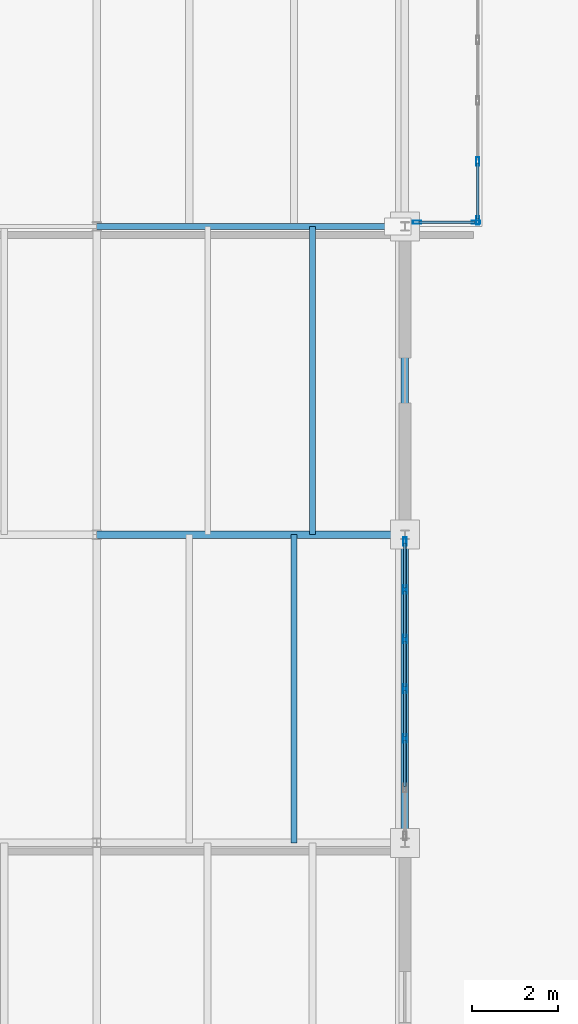
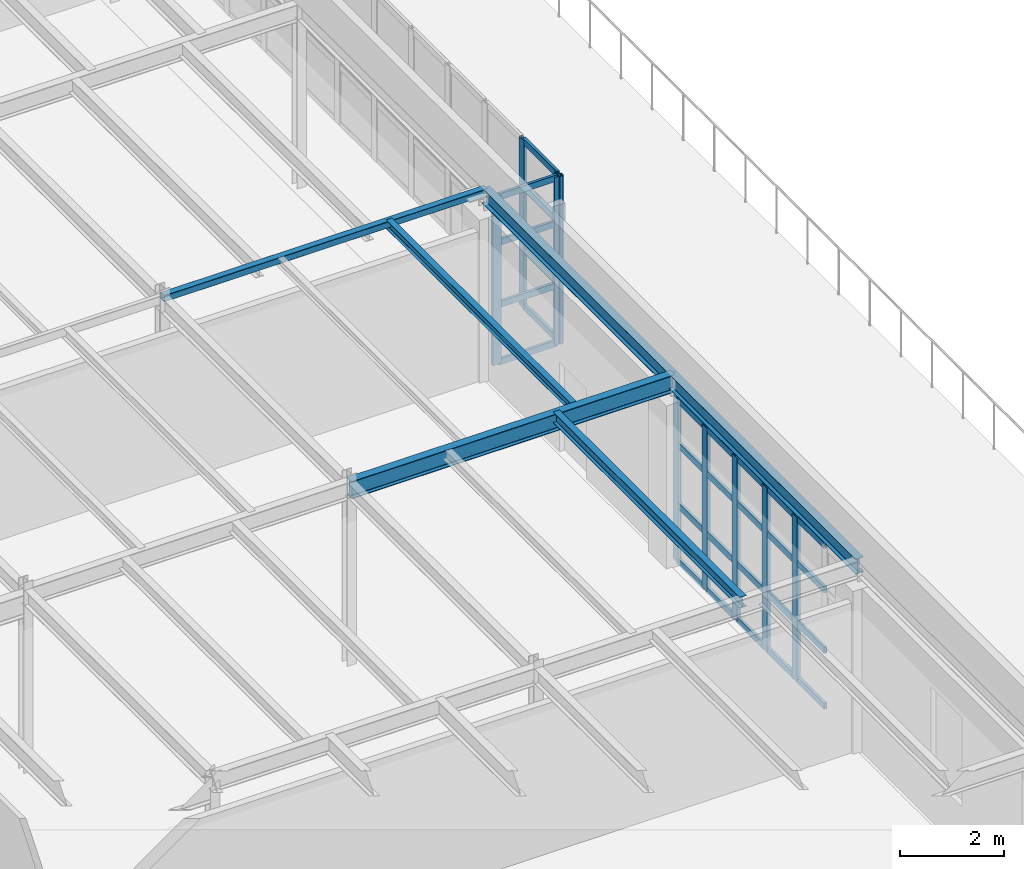
# One storey, part 21 of 43: 37 members, 6 beams, 3 elements without a shape of their own.
"""IFC4 building model written with IfcOpenShell, lengths in metres."""

from ifc_helpers import new_model, si_unit, direction, frame, origin, origin_2d, place, context, subcontext, project, spatial, hollow_rectangle, i_section, extrude, material, layer, layer_set, material_profile, profile_set, type_object, element, aggregate, save


model = new_model("IFC4")

# Units and contexts
model_context = context("Model", 3, precision=1e-05, world=origin(), true_north=direction((0.0, 1.0)))
body_context = subcontext(model_context, "Body", "Model", "MODEL_VIEW")
ifc_project = project(units=[si_unit("LENGTHUNIT", "METRE"), si_unit("AREAUNIT", "SQUARE_METRE"), si_unit("VOLUMEUNIT", "CUBIC_METRE"), si_unit("PLANEANGLEUNIT", "RADIAN"), si_unit("MASSUNIT", "GRAM", prefix="KILO")], contexts=[model_context])

# Site, building, storey
site_placement = place(None, origin())
site = spatial("IfcSite", under=ifc_project, at=site_placement, CompositionType="ELEMENT")
building_placement = place(site_placement, origin())
building = spatial("IfcBuilding", under=site, at=building_placement, Name="Kemerveld Promenade Tramway Depot", CompositionType="ELEMENT")
storey_placement = place(building_placement, frame((0.0, 0.0, 18.89990234375)))
storey = spatial("IfcBuildingStorey", under=building, at=storey_placement, Name="L04", CompositionType="ELEMENT", Elevation=18.89990234375)

# Beams
ifc_material_1 = material(Name="Steel S355", Category="steel")
ifc_material_profile_1 = material_profile(ifc_material_1, i_section(OverallWidth=0.1787109375, OverallDepth=0.409423828125, WebThickness=0.0087890625, FlangeThickness=0.014404296875, FilletRadius=0.01025390625, at=origin_2d()), Name="406x178x67 UB")
ifc_profile_set_1 = profile_set([ifc_material_profile_1], Name="Steel S355")
beam_type_1 = type_object("IfcBeamType", Name="BM-G07", PredefinedType="BEAM", material=ifc_profile_set_1)
beam_1_placement = place(storey_placement, frame((28.800048828125, 21.60009765625, 4.115478515625), z_axis=(1.0, 0.0, 0.0), x_axis=(0.0, 1.0, 0.0)))
element("IfcBeam", 1, at=beam_1_placement, inside=storey, type_object=beam_type_1, Name="BMX-L04-05-06-D", PredefinedType="BEAM", context=body_context, shape_type="SweptSolid", body=[
    extrude(i_section(OverallWidth=0.1787109375, OverallDepth=0.409423828125, WebThickness=0.0087890625, FlangeThickness=0.014404296875, FilletRadius=0.01025390625, at=origin_2d()), origin(), (0.0, 0.0, 1.0), 7.199951171875),
])
ifc_material_profile_2 = material_profile(ifc_material_1, i_section(OverallWidth=0.172119140625, OverallDepth=0.35791015625, WebThickness=0.008056640625, FlangeThickness=0.012939453125, FilletRadius=0.01025390625, at=origin_2d()), Name="356x171x57 UB")
ifc_profile_set_2 = profile_set([ifc_material_profile_2], Name="Steel S355")
beam_type_2 = type_object("IfcBeamType", Name="BM-G08", PredefinedType="BEAM", material=ifc_profile_set_2)
beam_2_placement = place(storey_placement, frame((36.0, 14.39990234375, 4.14111328125), z_axis=(0.0, 1.0, 0.0), x_axis=(-1.0, 0.0, 0.0)))
element("IfcBeam", 2, at=beam_2_placement, inside=storey, type_object=beam_type_2, Name="BMY-L04-06-C-D", PredefinedType="BEAM", context=body_context, shape_type="SweptSolid", body=[
    extrude(i_section(OverallWidth=0.172119140625, OverallDepth=0.35791015625, WebThickness=0.008056640625, FlangeThickness=0.012939453125, FilletRadius=0.01025390625, at=origin_2d()), origin(), (0.0, 0.0, 1.0), 7.2001953125),
])
beam_3_placement = place(storey_placement, frame((36.0, 21.60009765625, 4.14111328125), z_axis=(0.0, 1.0, 0.0), x_axis=(-1.0, 0.0, 0.0)))
element("IfcBeam", 3, at=beam_3_placement, inside=storey, type_object=beam_type_2, Name="BMY-L04-06-D-E", PredefinedType="BEAM", context=body_context, shape_type="SweptSolid", body=[
    extrude(i_section(OverallWidth=0.172119140625, OverallDepth=0.35791015625, WebThickness=0.008056640625, FlangeThickness=0.012939453125, FilletRadius=0.01025390625, at=origin_2d()), origin(), (0.0, 0.0, 1.0), 7.199951171875),
])
ifc_material_profile_3 = material_profile(ifc_material_1, i_section(OverallWidth=0.146484375, OverallDepth=0.256103515625, WebThickness=0.00634765625, FlangeThickness=0.010986328125, FilletRadius=0.007568359375, at=origin_2d()), Name="254x146x37 UB")
ifc_profile_set_3 = profile_set([ifc_material_profile_3], Name="Steel S355")
beam_type_3 = type_object("IfcBeamType", Name="BM-J02", PredefinedType="JOIST", material=ifc_profile_set_3)
beam_4_placement = place(storey_placement, frame((33.407958984375, 14.39990234375, 4.192138671875), z_axis=(0.0, 1.0, 0.0), x_axis=(-1.0, 0.0, 0.0)))
element("IfcBeam", 4, at=beam_4_placement, inside=storey, type_object=beam_type_3, Name="JST-L04-05-C-2", PredefinedType="JOIST", context=body_context, shape_type="SweptSolid", body=[
    extrude(i_section(OverallWidth=0.146484375, OverallDepth=0.256103515625, WebThickness=0.00634765625, FlangeThickness=0.010986328125, FilletRadius=0.007568359375, at=origin_2d()), origin(), (0.0, 0.0, 1.0), 7.2001953125),
])
ifc_material_profile_4 = material_profile(ifc_material_1, i_section(OverallWidth=0.13330078125, OverallDepth=0.203125, WebThickness=0.005615234375, FlangeThickness=0.0078125, FilletRadius=0.007568359375, at=origin_2d()), Name="203x133x25 UB")
ifc_profile_set_4 = profile_set([ifc_material_profile_4], Name="Steel S355")
beam_type_4 = type_object("IfcBeamType", Name="BM-J03", PredefinedType="JOIST", material=ifc_profile_set_4)
beam_5_placement = place(storey_placement, frame((33.840087890625, 21.60009765625, 4.218505859375), z_axis=(0.0, 1.0, 0.0), x_axis=(-1.0, 0.0, 0.0)))
element("IfcBeam", 5, at=beam_5_placement, inside=storey, type_object=beam_type_4, Name="JST-L04-05-D-2", PredefinedType="JOIST", context=body_context, shape_type="SweptSolid", body=[
    extrude(i_section(OverallWidth=0.13330078125, OverallDepth=0.203125, WebThickness=0.005615234375, FlangeThickness=0.0078125, FilletRadius=0.007568359375, at=origin_2d()), origin(), (0.0, 0.0, 1.0), 7.199951171875),
])
ifc_material_profile_5 = material_profile(ifc_material_1, hollow_rectangle(XDim=0.14990234375, YDim=0.14990234375, WallThickness=0.008056640625, InnerFilletRadius=0.00390625, OuterFilletRadius=0.011962890625, at=origin_2d()), Name="150x150x8.0 SHS")
ifc_profile_set_5 = profile_set([ifc_material_profile_5], Name="Steel S355")
beam_type_5 = type_object("IfcBeamType", Name="BM-SP4", PredefinedType="SPANDREL", material=ifc_profile_set_5)
beam_6_placement = place(storey_placement, frame((28.800048828125, 28.800048828125, 4.2451171875), z_axis=(1.0, 0.0, 0.0), x_axis=(0.0, 1.0, 0.0)))
element("IfcBeam", 6, at=beam_6_placement, inside=storey, type_object=beam_type_5, Name="BMX-L04-05-06-E", PredefinedType="SPANDREL", context=body_context, shape_type="SweptSolid", body=[
    extrude(hollow_rectangle(XDim=0.14990234375, YDim=0.14990234375, WallThickness=0.008056640625, InnerFilletRadius=0.00390625, OuterFilletRadius=0.011962890625, at=origin_2d()), origin(), (0.0, 0.0, 1.0), 7.199951171875),
])

# Curtain wall, members
ifc_material_2 = material(Name="Bronze anodised aluminium and solar glass", Category="aluminium")
ifc_layer_1 = layer(ifc_material_2, 0.199951171875)
ifc_layer_set_1 = layer_set([ifc_layer_1], Name="CW-SYS-06")
curtain_wall_type_1 = type_object("IfcCurtainWallType", Name="CW-SYS-06", PredefinedType="USERDEFINED", material=ifc_layer_set_1)
curtain_wall_1_placement = place(storey_placement, origin())
curtain_wall_1 = element("IfcCurtainWall", 7, at=curtain_wall_1_placement, inside=storey, type_object=curtain_wall_type_1, Name="CW-L04-V5ES-02", ObjectType="GLAZED_CURTAIN_WALL", PredefinedType="USERDEFINED")
ifc_material_3 = material(Name="Bronze anodised aluminium", Category="aluminium")
ifc_material_profile_6 = material_profile(ifc_material_3, hollow_rectangle(XDim=0.074951171875, YDim=0.199951171875, WallThickness=0.0048828125, InnerFilletRadius=0.001953125, OuterFilletRadius=0.0048828125, at=origin_2d()), Name="CW-MUL-200x75")
ifc_profile_set_6 = profile_set([ifc_material_profile_6], Name="Bronze anodised aluminium")
member_type_1 = type_object("IfcMemberType", Name="CW-MUL-B", PredefinedType="MULLION", material=ifc_profile_set_6)
member_1_placement = place(storey_placement, frame((36.0, 21.437744140625, 0.0), z_axis=(0.0, 0.0, 1.0), x_axis=(1.0, 0.0, 0.0)))
member_1 = element("IfcMember", 8, at=member_1_placement, type_object=member_type_1, Name="CW06 mullion 1", PredefinedType="MULLION", context=body_context, shape_type="SweptSolid", body=[
    extrude(hollow_rectangle(XDim=0.074951171875, YDim=0.199951171875, WallThickness=0.0048828125, InnerFilletRadius=0.001953125, OuterFilletRadius=0.0048828125, at=origin_2d()), origin(), (0.0, 0.0, 1.0), 3.85009765625),
])
member_2_placement = place(storey_placement, frame((36.0, 20.31689453125, 0.0), z_axis=(0.0, 0.0, 1.0), x_axis=(1.0, 0.0, 0.0)))
member_2 = element("IfcMember", 9, at=member_2_placement, type_object=member_type_1, Name="CW06 mullion 2", PredefinedType="MULLION", context=body_context, shape_type="SweptSolid", body=[
    extrude(hollow_rectangle(XDim=0.074951171875, YDim=0.199951171875, WallThickness=0.0048828125, InnerFilletRadius=0.001953125, OuterFilletRadius=0.0048828125, at=origin_2d()), origin(), (0.0, 0.0, 1.0), 3.85009765625),
])
member_3_placement = place(storey_placement, frame((36.0, 19.158447265625, 0.0), z_axis=(0.0, 0.0, 1.0), x_axis=(1.0, 0.0, 0.0)))
member_3 = element("IfcMember", 10, at=member_3_placement, type_object=member_type_1, Name="CW06 mullion 3", PredefinedType="MULLION", context=body_context, shape_type="SweptSolid", body=[
    extrude(hollow_rectangle(XDim=0.074951171875, YDim=0.199951171875, WallThickness=0.0048828125, InnerFilletRadius=0.001953125, OuterFilletRadius=0.0048828125, at=origin_2d()), origin(), (0.0, 0.0, 1.0), 3.85009765625),
])
member_4_placement = place(storey_placement, frame((36.0, 18.0, 0.0), z_axis=(0.0, 0.0, 1.0), x_axis=(1.0, 0.0, 0.0)))
member_4 = element("IfcMember", 11, at=member_4_placement, type_object=member_type_1, Name="CW06 mullion 4", PredefinedType="MULLION", context=body_context, shape_type="SweptSolid", body=[
    extrude(hollow_rectangle(XDim=0.074951171875, YDim=0.199951171875, WallThickness=0.0048828125, InnerFilletRadius=0.001953125, OuterFilletRadius=0.0048828125, at=origin_2d()), origin(), (0.0, 0.0, 1.0), 3.85009765625),
])
member_5_placement = place(storey_placement, frame((36.0, 16.841552734375, 0.0), z_axis=(0.0, 0.0, 1.0), x_axis=(1.0, 0.0, 0.0)))
member_5 = element("IfcMember", 12, at=member_5_placement, type_object=member_type_1, Name="CW06 mullion 5", PredefinedType="MULLION", context=body_context, shape_type="SweptSolid", body=[
    extrude(hollow_rectangle(XDim=0.074951171875, YDim=0.199951171875, WallThickness=0.0048828125, InnerFilletRadius=0.001953125, OuterFilletRadius=0.0048828125, at=origin_2d()), origin(), (0.0, 0.0, 1.0), 3.85009765625),
])

ifc_layer_2 = layer(ifc_material_2, 0.199951171875)
ifc_layer_set_2 = layer_set([ifc_layer_2], Name="CW-SYS-02")
curtain_wall_type_2 = type_object("IfcCurtainWallType", Name="CW-SYS-02", PredefinedType="USERDEFINED", material=ifc_layer_set_2)
curtain_wall_2_placement = place(storey_placement, origin())
curtain_wall_2 = element("IfcCurtainWall", 13, at=curtain_wall_2_placement, inside=storey, type_object=curtain_wall_type_2, Name="CW-L04-CUMBA-E", ObjectType="GLAZED_CURTAIN_WALL", PredefinedType="USERDEFINED")
member_6_placement = place(storey_placement, frame((37.699951171875, 30.320068359375, 0.0), z_axis=(0.0, 0.0, 1.0), x_axis=(1.0, 0.0, 0.0)))
member_6 = element("IfcMember", 14, at=member_6_placement, type_object=member_type_1, Name="CW02 mullion 10", PredefinedType="MULLION", context=body_context, shape_type="SweptSolid", body=[
    extrude(hollow_rectangle(XDim=0.074951171875, YDim=0.199951171875, WallThickness=0.0048828125, InnerFilletRadius=0.001953125, OuterFilletRadius=0.0048828125, at=origin_2d()), origin(), (0.0, 0.0, 1.0), 3.9501953125),
])
member_7_placement = place(storey_placement, frame((37.699951171875, 28.9375, 0.0), z_axis=(0.0, 0.0, 1.0), x_axis=(1.0, 0.0, 0.0)))
member_7 = element("IfcMember", 15, at=member_7_placement, type_object=member_type_1, Name="CW02 mullion 11", PredefinedType="MULLION", context=body_context, shape_type="SweptSolid", body=[
    extrude(hollow_rectangle(XDim=0.074951171875, YDim=0.199951171875, WallThickness=0.0048828125, InnerFilletRadius=0.001953125, OuterFilletRadius=0.0048828125, at=origin_2d()), origin(), (0.0, 0.0, 1.0), 3.9501953125),
])

ifc_layer_3 = layer(ifc_material_2, 0.199951171875)
ifc_layer_set_3 = layer_set([ifc_layer_3], Name="CW-SYS-04")
curtain_wall_type_3 = type_object("IfcCurtainWallType", Name="CW-SYS-04", PredefinedType="USERDEFINED", material=ifc_layer_set_3)
curtain_wall_3_placement = place(storey_placement, origin())
curtain_wall_3 = element("IfcCurtainWall", 16, at=curtain_wall_3_placement, inside=storey, type_object=curtain_wall_type_3, Name="CW-L04-CUMBA-S", ObjectType="GLAZED_CURTAIN_WALL", PredefinedType="USERDEFINED")
member_8_placement = place(storey_placement, frame((37.66259765625, 28.89990234375, 0.0), z_axis=(0.0, 0.0, 1.0), x_axis=(0.0, -1.0, 0.0)))
member_8 = element("IfcMember", 17, at=member_8_placement, type_object=member_type_1, Name="CW04 mullion 1", PredefinedType="MULLION", context=body_context, shape_type="SweptSolid", body=[
    extrude(hollow_rectangle(XDim=0.074951171875, YDim=0.199951171875, WallThickness=0.0048828125, InnerFilletRadius=0.001953125, OuterFilletRadius=0.0048828125, at=origin_2d()), origin(), (0.0, 0.0, 1.0), 3.9501953125),
])
member_9_placement = place(storey_placement, frame((36.28759765625, 28.89990234375, 0.0), z_axis=(0.0, 0.0, 1.0), x_axis=(0.0, -1.0, 0.0)))
member_9 = element("IfcMember", 18, at=member_9_placement, type_object=member_type_1, Name="CW04 mullion 2", PredefinedType="MULLION", context=body_context, shape_type="SweptSolid", body=[
    extrude(hollow_rectangle(XDim=0.074951171875, YDim=0.199951171875, WallThickness=0.0048828125, InnerFilletRadius=0.001953125, OuterFilletRadius=0.0048828125, at=origin_2d()), origin(), (0.0, 0.0, 1.0), 3.9501953125),
])

# Member
ifc_material_profile_7 = material_profile(ifc_material_3, hollow_rectangle(XDim=0.06494140625, YDim=0.14990234375, WallThickness=0.00439453125, InnerFilletRadius=0.001953125, OuterFilletRadius=0.00439453125, at=origin_2d()), Name="CW-TRN-150x65")
ifc_profile_set_7 = profile_set([ifc_material_profile_7], Name="Bronze anodised aluminium")
member_type_2 = type_object("IfcMemberType", Name="CW-TRN-B", PredefinedType="USERDEFINED", material=ifc_profile_set_7)
member_10_placement = place(storey_placement, frame((36.0, 21.400146484375, 0.03271484375), z_axis=(0.0, -1.0, 0.0), x_axis=(1.0, 0.0, 0.0)))
member_10 = element("IfcMember", 19, at=member_10_placement, type_object=member_type_2, Name="CW06 transom 1.1", ObjectType="TRANSOM", PredefinedType="USERDEFINED", context=body_context, shape_type="SweptSolid", body=[
    extrude(hollow_rectangle(XDim=0.06494140625, YDim=0.14990234375, WallThickness=0.00439453125, InnerFilletRadius=0.001953125, OuterFilletRadius=0.00439453125, at=origin_2d()), origin(), (0.0, 0.0, 1.0), 1.0458984375),
])

member_11_placement = place(storey_placement, frame((36.0, 21.400146484375, 1.34716796875), z_axis=(0.0, -1.0, 0.0), x_axis=(1.0, 0.0, 0.0)))
member_11 = element("IfcMember", 20, at=member_11_placement, type_object=member_type_2, Name="CW06 transom 1.2", ObjectType="TRANSOM", PredefinedType="USERDEFINED", context=body_context, shape_type="SweptSolid", body=[
    extrude(hollow_rectangle(XDim=0.06494140625, YDim=0.14990234375, WallThickness=0.00439453125, InnerFilletRadius=0.001953125, OuterFilletRadius=0.00439453125, at=origin_2d()), origin(), (0.0, 0.0, 1.0), 1.0458984375),
])

member_12_placement = place(storey_placement, frame((36.0, 21.400146484375, 2.772216796875), z_axis=(0.0, -1.0, 0.0), x_axis=(1.0, 0.0, 0.0)))
member_12 = element("IfcMember", 21, at=member_12_placement, type_object=member_type_2, Name="CW06 transom 1.3", ObjectType="TRANSOM", PredefinedType="USERDEFINED", context=body_context, shape_type="SweptSolid", body=[
    extrude(hollow_rectangle(XDim=0.06494140625, YDim=0.14990234375, WallThickness=0.00439453125, InnerFilletRadius=0.001953125, OuterFilletRadius=0.00439453125, at=origin_2d()), origin(), (0.0, 0.0, 1.0), 1.0458984375),
])

member_13_placement = place(storey_placement, frame((36.0, 21.400146484375, 3.817626953125), z_axis=(0.0, -1.0, 0.0), x_axis=(1.0, 0.0, 0.0)))
member_13 = element("IfcMember", 22, at=member_13_placement, type_object=member_type_2, Name="CW06 transom 1.4", ObjectType="TRANSOM", PredefinedType="USERDEFINED", context=body_context, shape_type="SweptSolid", body=[
    extrude(hollow_rectangle(XDim=0.06494140625, YDim=0.14990234375, WallThickness=0.00439453125, InnerFilletRadius=0.001953125, OuterFilletRadius=0.00439453125, at=origin_2d()), origin(), (0.0, 0.0, 1.0), 1.0458984375),
])

member_14_placement = place(storey_placement, frame((36.0, 20.279296875, 0.03271484375), z_axis=(0.0, -1.0, 0.0), x_axis=(1.0, 0.0, 0.0)))
member_14 = element("IfcMember", 23, at=member_14_placement, type_object=member_type_2, Name="CW06 transom 2.1", ObjectType="TRANSOM", PredefinedType="USERDEFINED", context=body_context, shape_type="SweptSolid", body=[
    extrude(hollow_rectangle(XDim=0.06494140625, YDim=0.14990234375, WallThickness=0.00439453125, InnerFilletRadius=0.001953125, OuterFilletRadius=0.00439453125, at=origin_2d()), origin(), (0.0, 0.0, 1.0), 1.08349609375),
])

member_15_placement = place(storey_placement, frame((36.0, 20.279296875, 1.34716796875), z_axis=(0.0, -1.0, 0.0), x_axis=(1.0, 0.0, 0.0)))
member_15 = element("IfcMember", 24, at=member_15_placement, type_object=member_type_2, Name="CW06 transom 2.2", ObjectType="TRANSOM", PredefinedType="USERDEFINED", context=body_context, shape_type="SweptSolid", body=[
    extrude(hollow_rectangle(XDim=0.06494140625, YDim=0.14990234375, WallThickness=0.00439453125, InnerFilletRadius=0.001953125, OuterFilletRadius=0.00439453125, at=origin_2d()), origin(), (0.0, 0.0, 1.0), 1.08349609375),
])

member_16_placement = place(storey_placement, frame((36.0, 20.279296875, 2.772216796875), z_axis=(0.0, -1.0, 0.0), x_axis=(1.0, 0.0, 0.0)))
member_16 = element("IfcMember", 25, at=member_16_placement, type_object=member_type_2, Name="CW06 transom 2.3", ObjectType="TRANSOM", PredefinedType="USERDEFINED", context=body_context, shape_type="SweptSolid", body=[
    extrude(hollow_rectangle(XDim=0.06494140625, YDim=0.14990234375, WallThickness=0.00439453125, InnerFilletRadius=0.001953125, OuterFilletRadius=0.00439453125, at=origin_2d()), origin(), (0.0, 0.0, 1.0), 1.08349609375),
])

member_17_placement = place(storey_placement, frame((36.0, 20.279296875, 3.817626953125), z_axis=(0.0, -1.0, 0.0), x_axis=(1.0, 0.0, 0.0)))
member_17 = element("IfcMember", 26, at=member_17_placement, type_object=member_type_2, Name="CW06 transom 2.4", ObjectType="TRANSOM", PredefinedType="USERDEFINED", context=body_context, shape_type="SweptSolid", body=[
    extrude(hollow_rectangle(XDim=0.06494140625, YDim=0.14990234375, WallThickness=0.00439453125, InnerFilletRadius=0.001953125, OuterFilletRadius=0.00439453125, at=origin_2d()), origin(), (0.0, 0.0, 1.0), 1.08349609375),
])

member_18_placement = place(storey_placement, frame((36.0, 19.120849609375, 0.03271484375), z_axis=(0.0, -1.0, 0.0), x_axis=(1.0, 0.0, 0.0)))
member_18 = element("IfcMember", 27, at=member_18_placement, type_object=member_type_2, Name="CW06 transom 3.1", ObjectType="TRANSOM", PredefinedType="USERDEFINED", context=body_context, shape_type="SweptSolid", body=[
    extrude(hollow_rectangle(XDim=0.06494140625, YDim=0.14990234375, WallThickness=0.00439453125, InnerFilletRadius=0.001953125, OuterFilletRadius=0.00439453125, at=origin_2d()), origin(), (0.0, 0.0, 1.0), 1.083251953125),
])

member_19_placement = place(storey_placement, frame((36.0, 19.120849609375, 1.34716796875), z_axis=(0.0, -1.0, 0.0), x_axis=(1.0, 0.0, 0.0)))
member_19 = element("IfcMember", 28, at=member_19_placement, type_object=member_type_2, Name="CW06 transom 3.2", ObjectType="TRANSOM", PredefinedType="USERDEFINED", context=body_context, shape_type="SweptSolid", body=[
    extrude(hollow_rectangle(XDim=0.06494140625, YDim=0.14990234375, WallThickness=0.00439453125, InnerFilletRadius=0.001953125, OuterFilletRadius=0.00439453125, at=origin_2d()), origin(), (0.0, 0.0, 1.0), 1.083251953125),
])

member_20_placement = place(storey_placement, frame((36.0, 19.120849609375, 2.772216796875), z_axis=(0.0, -1.0, 0.0), x_axis=(1.0, 0.0, 0.0)))
member_20 = element("IfcMember", 29, at=member_20_placement, type_object=member_type_2, Name="CW06 transom 3.3", ObjectType="TRANSOM", PredefinedType="USERDEFINED", context=body_context, shape_type="SweptSolid", body=[
    extrude(hollow_rectangle(XDim=0.06494140625, YDim=0.14990234375, WallThickness=0.00439453125, InnerFilletRadius=0.001953125, OuterFilletRadius=0.00439453125, at=origin_2d()), origin(), (0.0, 0.0, 1.0), 1.083251953125),
])

member_21_placement = place(storey_placement, frame((36.0, 19.120849609375, 3.817626953125), z_axis=(0.0, -1.0, 0.0), x_axis=(1.0, 0.0, 0.0)))
member_21 = element("IfcMember", 30, at=member_21_placement, type_object=member_type_2, Name="CW06 transom 3.4", ObjectType="TRANSOM", PredefinedType="USERDEFINED", context=body_context, shape_type="SweptSolid", body=[
    extrude(hollow_rectangle(XDim=0.06494140625, YDim=0.14990234375, WallThickness=0.00439453125, InnerFilletRadius=0.001953125, OuterFilletRadius=0.00439453125, at=origin_2d()), origin(), (0.0, 0.0, 1.0), 1.083251953125),
])

member_22_placement = place(storey_placement, frame((36.0, 17.96240234375, 0.03271484375), z_axis=(0.0, -1.0, 0.0), x_axis=(1.0, 0.0, 0.0)))
member_22 = element("IfcMember", 31, at=member_22_placement, type_object=member_type_2, Name="CW06 transom 4.1", ObjectType="TRANSOM", PredefinedType="USERDEFINED", context=body_context, shape_type="SweptSolid", body=[
    extrude(hollow_rectangle(XDim=0.06494140625, YDim=0.14990234375, WallThickness=0.00439453125, InnerFilletRadius=0.001953125, OuterFilletRadius=0.00439453125, at=origin_2d()), origin(), (0.0, 0.0, 1.0), 1.083251953125),
])

member_23_placement = place(storey_placement, frame((36.0, 17.96240234375, 1.34716796875), z_axis=(0.0, -1.0, 0.0), x_axis=(1.0, 0.0, 0.0)))
member_23 = element("IfcMember", 32, at=member_23_placement, type_object=member_type_2, Name="CW06 transom 4.2", ObjectType="TRANSOM", PredefinedType="USERDEFINED", context=body_context, shape_type="SweptSolid", body=[
    extrude(hollow_rectangle(XDim=0.06494140625, YDim=0.14990234375, WallThickness=0.00439453125, InnerFilletRadius=0.001953125, OuterFilletRadius=0.00439453125, at=origin_2d()), origin(), (0.0, 0.0, 1.0), 1.083251953125),
])

member_24_placement = place(storey_placement, frame((36.0, 17.96240234375, 2.772216796875), z_axis=(0.0, -1.0, 0.0), x_axis=(1.0, 0.0, 0.0)))
member_24 = element("IfcMember", 33, at=member_24_placement, type_object=member_type_2, Name="CW06 transom 4.3", ObjectType="TRANSOM", PredefinedType="USERDEFINED", context=body_context, shape_type="SweptSolid", body=[
    extrude(hollow_rectangle(XDim=0.06494140625, YDim=0.14990234375, WallThickness=0.00439453125, InnerFilletRadius=0.001953125, OuterFilletRadius=0.00439453125, at=origin_2d()), origin(), (0.0, 0.0, 1.0), 1.083251953125),
])

member_25_placement = place(storey_placement, frame((36.0, 17.96240234375, 3.817626953125), z_axis=(0.0, -1.0, 0.0), x_axis=(1.0, 0.0, 0.0)))
member_25 = element("IfcMember", 34, at=member_25_placement, type_object=member_type_2, Name="CW06 transom 4.4", ObjectType="TRANSOM", PredefinedType="USERDEFINED", context=body_context, shape_type="SweptSolid", body=[
    extrude(hollow_rectangle(XDim=0.06494140625, YDim=0.14990234375, WallThickness=0.00439453125, InnerFilletRadius=0.001953125, OuterFilletRadius=0.00439453125, at=origin_2d()), origin(), (0.0, 0.0, 1.0), 1.083251953125),
])

member_26_placement = place(storey_placement, frame((36.0, 16.80419921875, 0.03271484375), z_axis=(0.0, -1.0, 0.0), x_axis=(1.0, 0.0, 0.0)))
member_26 = element("IfcMember", 35, at=member_26_placement, type_object=member_type_2, Name="CW06 transom 5.1", ObjectType="TRANSOM", PredefinedType="USERDEFINED", context=body_context, shape_type="SweptSolid", body=[
    extrude(hollow_rectangle(XDim=0.06494140625, YDim=0.14990234375, WallThickness=0.00439453125, InnerFilletRadius=0.001953125, OuterFilletRadius=0.00439453125, at=origin_2d()), origin(), (0.0, 0.0, 1.0), 1.08349609375),
])

member_27_placement = place(storey_placement, frame((36.0, 16.80419921875, 1.34716796875), z_axis=(0.0, -1.0, 0.0), x_axis=(1.0, 0.0, 0.0)))
member_27 = element("IfcMember", 36, at=member_27_placement, type_object=member_type_2, Name="CW06 transom 5.2", ObjectType="TRANSOM", PredefinedType="USERDEFINED", context=body_context, shape_type="SweptSolid", body=[
    extrude(hollow_rectangle(XDim=0.06494140625, YDim=0.14990234375, WallThickness=0.00439453125, InnerFilletRadius=0.001953125, OuterFilletRadius=0.00439453125, at=origin_2d()), origin(), (0.0, 0.0, 1.0), 1.08349609375),
])

member_28_placement = place(storey_placement, frame((36.0, 16.80419921875, 2.772216796875), z_axis=(0.0, -1.0, 0.0), x_axis=(1.0, 0.0, 0.0)))
member_28 = element("IfcMember", 37, at=member_28_placement, type_object=member_type_2, Name="CW06 transom 5.3", ObjectType="TRANSOM", PredefinedType="USERDEFINED", context=body_context, shape_type="SweptSolid", body=[
    extrude(hollow_rectangle(XDim=0.06494140625, YDim=0.14990234375, WallThickness=0.00439453125, InnerFilletRadius=0.001953125, OuterFilletRadius=0.00439453125, at=origin_2d()), origin(), (0.0, 0.0, 1.0), 1.08349609375),
])

member_29_placement = place(storey_placement, frame((36.0, 16.80419921875, 3.817626953125), z_axis=(0.0, -1.0, 0.0), x_axis=(1.0, 0.0, 0.0)))
member_29 = element("IfcMember", 38, at=member_29_placement, type_object=member_type_2, Name="CW06 transom 5.4", ObjectType="TRANSOM", PredefinedType="USERDEFINED", context=body_context, shape_type="SweptSolid", body=[
    extrude(hollow_rectangle(XDim=0.06494140625, YDim=0.14990234375, WallThickness=0.00439453125, InnerFilletRadius=0.001953125, OuterFilletRadius=0.00439453125, at=origin_2d()), origin(), (0.0, 0.0, 1.0), 1.08349609375),
])

aggregate(curtain_wall_1, [member_1, member_2, member_3, member_4, member_5, member_10, member_11, member_12, member_13, member_14, member_15, member_16, member_17, member_18, member_19, member_20, member_21, member_22, member_23, member_24, member_25, member_26, member_27, member_28, member_29])

member_30_placement = place(storey_placement, frame((37.699951171875, 30.282470703125, 0.03271484375), z_axis=(0.0, -1.0, 0.0), x_axis=(1.0, 0.0, 0.0)))
member_30 = element("IfcMember", 39, at=member_30_placement, type_object=member_type_2, Name="CW02 transom 10.1", ObjectType="TRANSOM", PredefinedType="USERDEFINED", context=body_context, shape_type="SweptSolid", body=[
    extrude(hollow_rectangle(XDim=0.06494140625, YDim=0.14990234375, WallThickness=0.00439453125, InnerFilletRadius=0.001953125, OuterFilletRadius=0.00439453125, at=origin_2d()), origin(), (0.0, 0.0, 1.0), 1.307373046875),
])

member_31_placement = place(storey_placement, frame((37.699951171875, 30.282470703125, 1.382080078125), z_axis=(0.0, -1.0, 0.0), x_axis=(1.0, 0.0, 0.0)))
member_31 = element("IfcMember", 40, at=member_31_placement, type_object=member_type_2, Name="CW02 transom 10.2", ObjectType="TRANSOM", PredefinedType="USERDEFINED", context=body_context, shape_type="SweptSolid", body=[
    extrude(hollow_rectangle(XDim=0.06494140625, YDim=0.14990234375, WallThickness=0.00439453125, InnerFilletRadius=0.001953125, OuterFilletRadius=0.00439453125, at=origin_2d()), origin(), (0.0, 0.0, 1.0), 1.307373046875),
])

member_32_placement = place(storey_placement, frame((37.699951171875, 30.282470703125, 2.843994140625), z_axis=(0.0, -1.0, 0.0), x_axis=(1.0, 0.0, 0.0)))
member_32 = element("IfcMember", 41, at=member_32_placement, type_object=member_type_2, Name="CW02 transom 10.3", ObjectType="TRANSOM", PredefinedType="USERDEFINED", context=body_context, shape_type="SweptSolid", body=[
    extrude(hollow_rectangle(XDim=0.06494140625, YDim=0.14990234375, WallThickness=0.00439453125, InnerFilletRadius=0.001953125, OuterFilletRadius=0.00439453125, at=origin_2d()), origin(), (0.0, 0.0, 1.0), 1.307373046875),
])

member_33_placement = place(storey_placement, frame((37.699951171875, 30.282470703125, 3.91748046875), z_axis=(0.0, -1.0, 0.0), x_axis=(1.0, 0.0, 0.0)))
member_33 = element("IfcMember", 42, at=member_33_placement, type_object=member_type_2, Name="CW02 transom 10.4", ObjectType="TRANSOM", PredefinedType="USERDEFINED", context=body_context, shape_type="SweptSolid", body=[
    extrude(hollow_rectangle(XDim=0.06494140625, YDim=0.14990234375, WallThickness=0.00439453125, InnerFilletRadius=0.001953125, OuterFilletRadius=0.00439453125, at=origin_2d()), origin(), (0.0, 0.0, 1.0), 1.307373046875),
])

aggregate(curtain_wall_2, [member_6, member_7, member_30, member_31, member_32, member_33])

member_34_placement = place(storey_placement, frame((37.625, 28.89990234375, 0.03271484375), z_axis=(-1.0, 0.0, 0.0), x_axis=(0.0, -1.0, 0.0)))
member_34 = element("IfcMember", 43, at=member_34_placement, type_object=member_type_2, Name="CW04 transom 1.1", ObjectType="TRANSOM", PredefinedType="USERDEFINED", context=body_context, shape_type="SweptSolid", body=[
    extrude(hollow_rectangle(XDim=0.06494140625, YDim=0.14990234375, WallThickness=0.00439453125, InnerFilletRadius=0.001953125, OuterFilletRadius=0.00439453125, at=origin_2d()), origin(), (0.0, 0.0, 1.0), 1.300048828125),
])

member_35_placement = place(storey_placement, frame((37.625, 28.89990234375, 1.382080078125), z_axis=(-1.0, 0.0, 0.0), x_axis=(0.0, -1.0, 0.0)))
member_35 = element("IfcMember", 44, at=member_35_placement, type_object=member_type_2, Name="CW04 transom 1.2", ObjectType="TRANSOM", PredefinedType="USERDEFINED", context=body_context, shape_type="SweptSolid", body=[
    extrude(hollow_rectangle(XDim=0.06494140625, YDim=0.14990234375, WallThickness=0.00439453125, InnerFilletRadius=0.001953125, OuterFilletRadius=0.00439453125, at=origin_2d()), origin(), (0.0, 0.0, 1.0), 1.300048828125),
])

member_36_placement = place(storey_placement, frame((37.625, 28.89990234375, 2.843994140625), z_axis=(-1.0, 0.0, 0.0), x_axis=(0.0, -1.0, 0.0)))
member_36 = element("IfcMember", 45, at=member_36_placement, type_object=member_type_2, Name="CW04 transom 1.3", ObjectType="TRANSOM", PredefinedType="USERDEFINED", context=body_context, shape_type="SweptSolid", body=[
    extrude(hollow_rectangle(XDim=0.06494140625, YDim=0.14990234375, WallThickness=0.00439453125, InnerFilletRadius=0.001953125, OuterFilletRadius=0.00439453125, at=origin_2d()), origin(), (0.0, 0.0, 1.0), 1.300048828125),
])

member_37_placement = place(storey_placement, frame((37.625, 28.89990234375, 3.91748046875), z_axis=(-1.0, 0.0, 0.0), x_axis=(0.0, -1.0, 0.0)))
member_37 = element("IfcMember", 46, at=member_37_placement, type_object=member_type_2, Name="CW04 transom 1.4", ObjectType="TRANSOM", PredefinedType="USERDEFINED", context=body_context, shape_type="SweptSolid", body=[
    extrude(hollow_rectangle(XDim=0.06494140625, YDim=0.14990234375, WallThickness=0.00439453125, InnerFilletRadius=0.001953125, OuterFilletRadius=0.00439453125, at=origin_2d()), origin(), (0.0, 0.0, 1.0), 1.300048828125),
])

aggregate(curtain_wall_3, [member_8, member_9, member_34, member_35, member_36, member_37])

save(model, "model.ifc")
